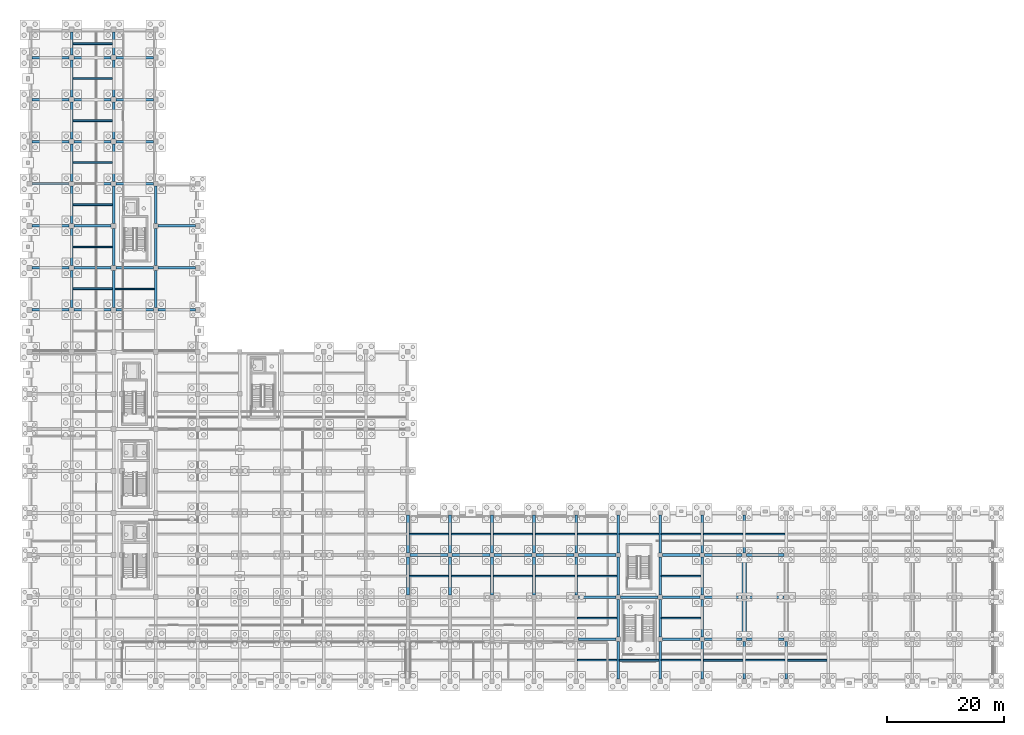
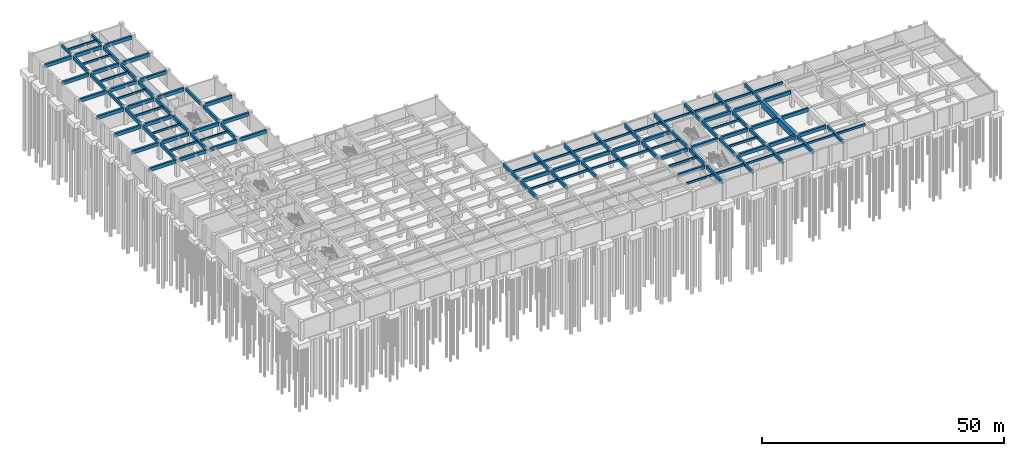
# One storey, part 13 of 28: 114 beams.
"""IFC4 building model written with IfcOpenShell, lengths in metres."""

from ifc_helpers import new_model, si_unit, direction, frame, origin, origin_2d, place, context, subcontext, project, spatial, rectangle, extrude, material, material_profile, profile_set, type_object, element, save


model = new_model("IFC4")

# Units and contexts
model_context = context("Model", 3, precision=1e-05, world=origin(), true_north=direction((0.0, 1.0)))
body_context = subcontext(model_context, "Body", "Model", "MODEL_VIEW")
ifc_project = project(units=[si_unit("LENGTHUNIT", "METRE"), si_unit("AREAUNIT", "SQUARE_METRE"), si_unit("VOLUMEUNIT", "CUBIC_METRE"), si_unit("PLANEANGLEUNIT", "RADIAN"), si_unit("MASSUNIT", "GRAM", prefix="KILO")], contexts=[model_context])

# Site, building, storey
site_placement = place(None, origin())
site = spatial("IfcSite", under=ifc_project, at=site_placement, CompositionType="ELEMENT")
building_placement = place(site_placement, origin())
building = spatial("IfcBuilding", under=site, at=building_placement, Name="Alvorim Cloister Faculty of Sciences", CompositionType="ELEMENT")
storey_placement = place(building_placement, frame((0.0, 0.0, -4.5)))
storey = spatial("IfcBuildingStorey", under=building, at=storey_placement, Name="B01", CompositionType="ELEMENT", Elevation=-4.5)

# Beams
ifc_material_1 = material(Name="Concrete C40", Category="concrete")
ifc_material_profile_1 = material_profile(ifc_material_1, rectangle(XDim=0.260009765625, YDim=0.5, at=origin_2d()), Name="RC40-JST-260x500")
ifc_profile_set_1 = profile_set([ifc_material_profile_1], Name="Concrete C40")
beam_type_1 = type_object("IfcBeamType", Name="BM-JST-RC-260x500", PredefinedType="JOIST", material=ifc_profile_set_1)
for number, where, z_axis, x_axis, name in (
    (1, (7.425048828125, 74.39990234375, 3.989990234375), (1.0, 0.0, 0.0), (0.0, 1.0, 0.0), "B01 Secondary Floor Joist BM-0500"),
    (2, (7.425048828125, 88.800048828125, 3.989990234375), (1.0, 0.0, 0.0), (0.0, 1.0, 0.0), "B01 Secondary Floor Joist BM-0502"),
    (3, (7.425048828125, 103.199951171875, 3.989990234375), (1.0, 0.0, 0.0), (0.0, 1.0, 0.0), "B01 Secondary Floor Joist BM-0504"),
    (4, (14.625, 67.199951171875, 3.989990234375), (1.0, 0.0, 0.0), (0.0, 1.0, 0.0), "B01 Secondary Floor Joist BM-0509"),
    (5, (65.02490234375, 18.0, 3.989990234375), (1.0, 0.0, 0.0), (0.0, 1.0, 0.0), "B01 Secondary Floor Joist BM-0555"),
    (6, (72.22509765625, 25.199951171875, 3.989990234375), (1.0, 0.0, 0.0), (0.0, 1.0, 0.0), "B01 Secondary Floor Joist BM-0560"),
    (7, (79.425048828125, 18.0, 3.989990234375), (1.0, 0.0, 0.0), (0.0, 1.0, 0.0), "B01 Secondary Floor Joist BM-0563"),
    (8, (86.625, 25.199951171875, 3.989990234375), (1.0, 0.0, 0.0), (0.0, 1.0, 0.0), "B01 Secondary Floor Joist BM-0568"),
    (9, (93.824951171875, 3.60009765625, 3.989990234375), (1.0, 0.0, 0.0), (0.0, 1.0, 0.0), "B01 Secondary Floor Joist BM-0569"),
    (10, (93.824951171875, 18.0, 3.989990234375), (1.0, 0.0, 0.0), (0.0, 1.0, 0.0), "B01 Secondary Floor Joist BM-0571"),
    (11, (101.02490234375, 25.199951171875, 3.989990234375), (1.0, 0.0, 0.0), (0.0, 1.0, 0.0), "B01 Secondary Floor Joist BM-0574"),
    (12, (108.22509765625, 3.60009765625, 3.989990234375), (1.0, 0.0, 0.0), (0.0, 1.0, 0.0), "B01 Secondary Floor Joist BM-0575"),
    (13, (108.22509765625, 18.0, 3.989990234375), (1.0, 0.0, 0.0), (0.0, 1.0, 0.0), "B01 Secondary Floor Joist BM-0577"),
    (14, (115.425048828125, 25.199951171875, 3.989990234375), (1.0, 0.0, 0.0), (0.0, 1.0, 0.0), "B01 Secondary Floor Joist BM-0580"),
    (15, (122.625, 3.60009765625, 3.989990234375), (1.0, 0.0, 0.0), (0.0, 1.0, 0.0), "B01 Secondary Floor Joist BM-0581"),
):
    element("IfcBeam", number, at=place(storey_placement, frame(where, z_axis=z_axis, x_axis=x_axis)), inside=storey, type_object=beam_type_1, Name=name, PredefinedType="JOIST", context=body_context, shape_type="SweptSolid", body=[
        extrude(rectangle(XDim=0.260009765625, YDim=0.5, at=origin_2d()), origin(), (0.0, 0.0, 1.0), 6.75),
    ])
ifc_material_profile_2 = material_profile(ifc_material_1, rectangle(XDim=0.300048828125, YDim=0.550048828125, at=origin_2d()), Name="RC40-JST-300x550")
ifc_profile_set_2 = profile_set([ifc_material_profile_2], Name="Concrete C40")
beam_type_2 = type_object("IfcBeamType", Name="BM-JST-RC-300x550", PredefinedType="JOIST", material=ifc_profile_set_2)
for number, where, z_axis, x_axis, name in (
    (16, (7.425048828125, 67.199951171875, 3.965087890625), (1.0, 0.0, 0.0), (0.0, 1.0, 0.0), "B01 Secondary Floor Joist BM-0499"),
    (17, (7.425048828125, 81.60009765625, 3.965087890625), (1.0, 0.0, 0.0), (0.0, 1.0, 0.0), "B01 Secondary Floor Joist BM-0501"),
    (18, (7.425048828125, 96.0, 3.965087890625), (1.0, 0.0, 0.0), (0.0, 1.0, 0.0), "B01 Secondary Floor Joist BM-0503"),
):
    element("IfcBeam", number, at=place(storey_placement, frame(where, z_axis=z_axis, x_axis=x_axis)), inside=storey, type_object=beam_type_2, Name=name, PredefinedType="JOIST", context=body_context, shape_type="SweptSolid", body=[
        extrude(rectangle(XDim=0.300048828125, YDim=0.550048828125, at=origin_2d()), origin(), (0.0, 0.0, 1.0), 6.75),
    ])
beam_1_placement = place(storey_placement, frame((7.389892578125, 109.199951171875, 3.965087890625), z_axis=(1.0, 0.0, 0.0), x_axis=(0.0, 1.0, 0.0)))
element("IfcBeam", 19, at=beam_1_placement, inside=storey, type_object=beam_type_2, Name="B01 Secondary Floor Joist BM-0505", PredefinedType="JOIST", context=body_context, shape_type="SweptSolid", body=[
    extrude(rectangle(XDim=0.300048828125, YDim=0.550048828125, at=origin_2d()), origin(), (0.0, 0.0, 1.0), 6.820068359375),
])
for number, where, z_axis, x_axis, name in (
    (20, (65.02490234375, 25.199951171875, 3.965087890625), (1.0, 0.0, 0.0), (0.0, 1.0, 0.0), "B01 Secondary Floor Joist BM-0556"),
    (21, (72.22509765625, 18.0, 3.965087890625), (1.0, 0.0, 0.0), (0.0, 1.0, 0.0), "B01 Secondary Floor Joist BM-0559"),
    (22, (79.425048828125, 25.199951171875, 3.965087890625), (1.0, 0.0, 0.0), (0.0, 1.0, 0.0), "B01 Secondary Floor Joist BM-0564"),
    (23, (86.625, 18.0, 3.965087890625), (1.0, 0.0, 0.0), (0.0, 1.0, 0.0), "B01 Secondary Floor Joist BM-0567"),
    (24, (93.824951171875, 10.800048828125, 3.965087890625), (1.0, 0.0, 0.0), (0.0, 1.0, 0.0), "B01 Secondary Floor Joist BM-0570"),
    (25, (93.824951171875, 25.199951171875, 3.965087890625), (1.0, 0.0, 0.0), (0.0, 1.0, 0.0), "B01 Secondary Floor Joist BM-0572"),
    (26, (101.02490234375, 3.60009765625, 3.965087890625), (1.0, 0.0, 0.0), (0.0, 1.0, 0.0), "B01 Secondary Floor Joist BM-0573"),
    (27, (108.22509765625, 10.800048828125, 3.965087890625), (1.0, 0.0, 0.0), (0.0, 1.0, 0.0), "B01 Secondary Floor Joist BM-0576"),
    (28, (108.22509765625, 25.199951171875, 3.965087890625), (1.0, 0.0, 0.0), (0.0, 1.0, 0.0), "B01 Secondary Floor Joist BM-0578"),
    (29, (115.425048828125, 3.60009765625, 3.965087890625), (1.0, 0.0, 0.0), (0.0, 1.0, 0.0), "B01 Secondary Floor Joist BM-0579"),
    (30, (122.625, 25.199951171875, 3.965087890625), (1.0, 0.0, 0.0), (0.0, 1.0, 0.0), "B01 Secondary Floor Joist BM-0582"),
    (31, (129.824951171875, 3.60009765625, 3.965087890625), (1.0, 0.0, 0.0), (0.0, 1.0, 0.0), "B01 Secondary Floor Joist BM-0583"),
):
    element("IfcBeam", number, at=place(storey_placement, frame(where, z_axis=z_axis, x_axis=x_axis)), inside=storey, type_object=beam_type_2, Name=name, PredefinedType="JOIST", context=body_context, shape_type="SweptSolid", body=[
        extrude(rectangle(XDim=0.300048828125, YDim=0.550048828125, at=origin_2d()), origin(), (0.0, 0.0, 1.0), 6.75),
    ])
ifc_material_profile_3 = material_profile(ifc_material_1, rectangle(XDim=0.3798828125, YDim=0.64990234375, at=origin_2d()), Name="RC40-BM-380x650")
ifc_profile_set_3 = profile_set([ifc_material_profile_3], Name="Concrete C40")
beam_type_3 = type_object("IfcBeamType", Name="BM-RC-380x650", PredefinedType="BEAM", material=ifc_profile_set_3)
for number, where, z_axis, x_axis, name in (
    (32, (7.199951171875, 107.22509765625, 3.9150390625), (0.0, 1.0, 0.0), (-1.0, 0.0, 0.0), "B01 Primary Girder BM-0375"),
    (33, (14.39990234375, 107.22509765625, 3.9150390625), (0.0, 1.0, 0.0), (-1.0, 0.0, 0.0), "B01 Primary Girder BM-0391"),
):
    element("IfcBeam", number, at=place(storey_placement, frame(where, z_axis=z_axis, x_axis=x_axis)), inside=storey, type_object=beam_type_3, Name=name, PredefinedType="BEAM", context=body_context, shape_type="SweptSolid", body=[
        extrude(rectangle(XDim=0.3798828125, YDim=0.64990234375, at=origin_2d()), origin(), (0.0, 0.0, 1.0), 3.949951171875),
    ])
ifc_material_profile_4 = material_profile(ifc_material_1, rectangle(XDim=0.449951171875, YDim=0.85009765625, at=origin_2d()), Name="RC40-BM-450x850")
ifc_profile_set_4 = profile_set([ifc_material_profile_4], Name="Concrete C40")
beam_type_4 = type_object("IfcBeamType", Name="BM-RC-450x850", PredefinedType="BEAM", material=ifc_profile_set_4)
for number, where, z_axis, x_axis, name in (
    (34, (93.97509765625, 7.199951171875, 3.81494140625), (1.0, 0.0, 0.0), (0.0, 1.0, 0.0), "B01 Primary Beam BM-0247"),
    (35, (108.375, 7.199951171875, 3.81494140625), (1.0, 0.0, 0.0), (0.0, 1.0, 0.0), "B01 Primary Beam BM-0248"),
    (36, (115.574951171875, 7.199951171875, 3.81494140625), (1.0, 0.0, 0.0), (0.0, 1.0, 0.0), "B01 Primary Beam BM-0249"),
):
    element("IfcBeam", number, at=place(storey_placement, frame(where, z_axis=z_axis, x_axis=x_axis)), inside=storey, type_object=beam_type_4, Name=name, PredefinedType="BEAM", context=body_context, shape_type="SweptSolid", body=[
        extrude(rectangle(XDim=0.449951171875, YDim=0.85009765625, at=origin_2d()), origin(), (0.0, 0.0, 1.0), 6.449951171875),
    ])
beam_2_placement = place(storey_placement, frame((122.77490234375, 7.199951171875, 3.81494140625), z_axis=(1.0, 0.0, 0.0), x_axis=(0.0, 1.0, 0.0)))
element("IfcBeam", 37, at=beam_2_placement, inside=storey, type_object=beam_type_4, Name="B01 Primary Beam BM-0250", PredefinedType="BEAM", context=body_context, shape_type="SweptSolid", body=[
    extrude(rectangle(XDim=0.449951171875, YDim=0.85009765625, at=origin_2d()), origin(), (0.0, 0.0, 1.0), 6.4501953125),
])
for number, where, z_axis, x_axis, name in (
    (38, (93.97509765625, 14.39990234375, 3.81494140625), (1.0, 0.0, 0.0), (0.0, 1.0, 0.0), "B01 Primary Beam BM-0269"),
    (39, (101.175048828125, 14.39990234375, 3.81494140625), (1.0, 0.0, 0.0), (0.0, 1.0, 0.0), "B01 Primary Beam BM-0270"),
    (40, (108.375, 14.39990234375, 3.81494140625), (1.0, 0.0, 0.0), (0.0, 1.0, 0.0), "B01 Primary Beam BM-0271"),
    (41, (115.574951171875, 14.39990234375, 3.81494140625), (1.0, 0.0, 0.0), (0.0, 1.0, 0.0), "B01 Primary Beam BM-0272"),
):
    element("IfcBeam", number, at=place(storey_placement, frame(where, z_axis=z_axis, x_axis=x_axis)), inside=storey, type_object=beam_type_4, Name=name, PredefinedType="BEAM", context=body_context, shape_type="SweptSolid", body=[
        extrude(rectangle(XDim=0.449951171875, YDim=0.85009765625, at=origin_2d()), origin(), (0.0, 0.0, 1.0), 6.449951171875),
    ])
beam_3_placement = place(storey_placement, frame((122.77490234375, 14.39990234375, 3.81494140625), z_axis=(1.0, 0.0, 0.0), x_axis=(0.0, 1.0, 0.0)))
element("IfcBeam", 42, at=beam_3_placement, inside=storey, type_object=beam_type_4, Name="B01 Primary Beam BM-0273", PredefinedType="BEAM", context=body_context, shape_type="SweptSolid", body=[
    extrude(rectangle(XDim=0.449951171875, YDim=0.85009765625, at=origin_2d()), origin(), (0.0, 0.0, 1.0), 6.4501953125),
])
for number, where, z_axis, x_axis, name in (
    (43, (65.175048828125, 21.60009765625, 3.81494140625), (1.0, 0.0, 0.0), (0.0, 1.0, 0.0), "B01 Primary Beam BM-0287"),
    (44, (72.375, 21.60009765625, 3.81494140625), (1.0, 0.0, 0.0), (0.0, 1.0, 0.0), "B01 Primary Beam BM-0288"),
    (45, (79.574951171875, 21.60009765625, 3.81494140625), (1.0, 0.0, 0.0), (0.0, 1.0, 0.0), "B01 Primary Beam BM-0289"),
):
    element("IfcBeam", number, at=place(storey_placement, frame(where, z_axis=z_axis, x_axis=x_axis)), inside=storey, type_object=beam_type_4, Name=name, PredefinedType="BEAM", context=body_context, shape_type="SweptSolid", body=[
        extrude(rectangle(XDim=0.449951171875, YDim=0.85009765625, at=origin_2d()), origin(), (0.0, 0.0, 1.0), 6.449951171875),
    ])
beam_4_placement = place(storey_placement, frame((86.77490234375, 21.60009765625, 3.81494140625), z_axis=(1.0, 0.0, 0.0), x_axis=(0.0, 1.0, 0.0)))
element("IfcBeam", 46, at=beam_4_placement, inside=storey, type_object=beam_type_4, Name="B01 Primary Beam BM-0290", PredefinedType="BEAM", context=body_context, shape_type="SweptSolid", body=[
    extrude(rectangle(XDim=0.449951171875, YDim=0.85009765625, at=origin_2d()), origin(), (0.0, 0.0, 1.0), 6.4501953125),
])
for number, where, z_axis, x_axis, name in (
    (47, (93.97509765625, 21.60009765625, 3.81494140625), (1.0, 0.0, 0.0), (0.0, 1.0, 0.0), "B01 Primary Beam BM-0291"),
    (48, (108.375, 21.60009765625, 3.81494140625), (1.0, 0.0, 0.0), (0.0, 1.0, 0.0), "B01 Primary Beam BM-0292"),
    (49, (115.574951171875, 21.60009765625, 3.81494140625), (1.0, 0.0, 0.0), (0.0, 1.0, 0.0), "B01 Primary Beam BM-0293"),
):
    element("IfcBeam", number, at=place(storey_placement, frame(where, z_axis=z_axis, x_axis=x_axis)), inside=storey, type_object=beam_type_4, Name=name, PredefinedType="BEAM", context=body_context, shape_type="SweptSolid", body=[
        extrude(rectangle(XDim=0.449951171875, YDim=0.85009765625, at=origin_2d()), origin(), (0.0, 0.0, 1.0), 6.449951171875),
    ])
beam_5_placement = place(storey_placement, frame((122.77490234375, 21.60009765625, 3.81494140625), z_axis=(1.0, 0.0, 0.0), x_axis=(0.0, 1.0, 0.0)))
element("IfcBeam", 50, at=beam_5_placement, inside=storey, type_object=beam_type_4, Name="B01 Primary Beam BM-0294", PredefinedType="BEAM", context=body_context, shape_type="SweptSolid", body=[
    extrude(rectangle(XDim=0.449951171875, YDim=0.85009765625, at=origin_2d()), origin(), (0.0, 0.0, 1.0), 6.4501953125),
])
beam_6_placement = place(storey_placement, frame((0.425048828125, 63.60009765625, 3.81494140625), z_axis=(1.0, 0.0, 0.0), x_axis=(0.0, 1.0, 0.0)))
element("IfcBeam", 51, at=beam_6_placement, inside=storey, type_object=beam_type_4, Name="B01 Primary Beam BM-0337", PredefinedType="BEAM", context=body_context, shape_type="SweptSolid", body=[
    extrude(rectangle(XDim=0.449951171875, YDim=0.85009765625, at=origin_2d()), origin(), (0.0, 0.0, 1.0), 6.349853515625),
])
for number, where, z_axis, x_axis, name in (
    (52, (7.625, 63.60009765625, 3.81494140625), (1.0, 0.0, 0.0), (0.0, 1.0, 0.0), "B01 Primary Beam BM-0338"),
    (53, (14.824951171875, 63.60009765625, 3.81494140625), (1.0, 0.0, 0.0), (0.0, 1.0, 0.0), "B01 Primary Beam BM-0339"),
    (54, (22.02490234375, 63.60009765625, 3.81494140625), (1.0, 0.0, 0.0), (0.0, 1.0, 0.0), "B01 Primary Beam BM-0340"),
):
    element("IfcBeam", number, at=place(storey_placement, frame(where, z_axis=z_axis, x_axis=x_axis)), inside=storey, type_object=beam_type_4, Name=name, PredefinedType="BEAM", context=body_context, shape_type="SweptSolid", body=[
        extrude(rectangle(XDim=0.449951171875, YDim=0.85009765625, at=origin_2d()), origin(), (0.0, 0.0, 1.0), 6.35009765625),
    ])
beam_7_placement = place(storey_placement, frame((0.425048828125, 70.800048828125, 3.81494140625), z_axis=(1.0, 0.0, 0.0), x_axis=(0.0, 1.0, 0.0)))
element("IfcBeam", 55, at=beam_7_placement, inside=storey, type_object=beam_type_4, Name="B01 Primary Beam BM-0341", PredefinedType="BEAM", context=body_context, shape_type="SweptSolid", body=[
    extrude(rectangle(XDim=0.449951171875, YDim=0.85009765625, at=origin_2d()), origin(), (0.0, 0.0, 1.0), 6.349853515625),
])
for number, where, z_axis, x_axis, name in (
    (56, (7.625, 70.800048828125, 3.81494140625), (1.0, 0.0, 0.0), (0.0, 1.0, 0.0), "B01 Primary Beam BM-0342"),
    (57, (14.824951171875, 70.800048828125, 3.81494140625), (1.0, 0.0, 0.0), (0.0, 1.0, 0.0), "B01 Primary Beam BM-0343"),
    (58, (22.02490234375, 70.800048828125, 3.81494140625), (1.0, 0.0, 0.0), (0.0, 1.0, 0.0), "B01 Primary Beam BM-0344"),
):
    element("IfcBeam", number, at=place(storey_placement, frame(where, z_axis=z_axis, x_axis=x_axis)), inside=storey, type_object=beam_type_4, Name=name, PredefinedType="BEAM", context=body_context, shape_type="SweptSolid", body=[
        extrude(rectangle(XDim=0.449951171875, YDim=0.85009765625, at=origin_2d()), origin(), (0.0, 0.0, 1.0), 6.35009765625),
    ])
beam_8_placement = place(storey_placement, frame((0.425048828125, 78.0, 3.81494140625), z_axis=(1.0, 0.0, 0.0), x_axis=(0.0, 1.0, 0.0)))
element("IfcBeam", 59, at=beam_8_placement, inside=storey, type_object=beam_type_4, Name="B01 Primary Beam BM-0345", PredefinedType="BEAM", context=body_context, shape_type="SweptSolid", body=[
    extrude(rectangle(XDim=0.449951171875, YDim=0.85009765625, at=origin_2d()), origin(), (0.0, 0.0, 1.0), 6.349853515625),
])
for number, where, z_axis, x_axis, name in (
    (60, (7.625, 78.0, 3.81494140625), (1.0, 0.0, 0.0), (0.0, 1.0, 0.0), "B01 Primary Beam BM-0346"),
    (61, (22.02490234375, 78.0, 3.81494140625), (1.0, 0.0, 0.0), (0.0, 1.0, 0.0), "B01 Primary Beam BM-0347"),
):
    element("IfcBeam", number, at=place(storey_placement, frame(where, z_axis=z_axis, x_axis=x_axis)), inside=storey, type_object=beam_type_4, Name=name, PredefinedType="BEAM", context=body_context, shape_type="SweptSolid", body=[
        extrude(rectangle(XDim=0.449951171875, YDim=0.85009765625, at=origin_2d()), origin(), (0.0, 0.0, 1.0), 6.35009765625),
    ])
beam_9_placement = place(storey_placement, frame((0.425048828125, 85.199951171875, 3.81494140625), z_axis=(1.0, 0.0, 0.0), x_axis=(0.0, 1.0, 0.0)))
element("IfcBeam", 62, at=beam_9_placement, inside=storey, type_object=beam_type_4, Name="B01 Primary Beam BM-0348", PredefinedType="BEAM", context=body_context, shape_type="SweptSolid", body=[
    extrude(rectangle(XDim=0.449951171875, YDim=0.85009765625, at=origin_2d()), origin(), (0.0, 0.0, 1.0), 6.349853515625),
])
for number, where, z_axis, x_axis, name in (
    (63, (7.625, 85.199951171875, 3.81494140625), (1.0, 0.0, 0.0), (0.0, 1.0, 0.0), "B01 Primary Beam BM-0349"),
    (64, (14.824951171875, 85.199951171875, 3.81494140625), (1.0, 0.0, 0.0), (0.0, 1.0, 0.0), "B01 Primary Beam BM-0350"),
):
    element("IfcBeam", number, at=place(storey_placement, frame(where, z_axis=z_axis, x_axis=x_axis)), inside=storey, type_object=beam_type_4, Name=name, PredefinedType="BEAM", context=body_context, shape_type="SweptSolid", body=[
        extrude(rectangle(XDim=0.449951171875, YDim=0.85009765625, at=origin_2d()), origin(), (0.0, 0.0, 1.0), 6.35009765625),
    ])
beam_10_placement = place(storey_placement, frame((0.425048828125, 92.39990234375, 3.81494140625), z_axis=(1.0, 0.0, 0.0), x_axis=(0.0, 1.0, 0.0)))
element("IfcBeam", 65, at=beam_10_placement, inside=storey, type_object=beam_type_4, Name="B01 Primary Beam BM-0351", PredefinedType="BEAM", context=body_context, shape_type="SweptSolid", body=[
    extrude(rectangle(XDim=0.449951171875, YDim=0.85009765625, at=origin_2d()), origin(), (0.0, 0.0, 1.0), 6.349853515625),
])
for number, where, z_axis, x_axis, name in (
    (66, (7.625, 92.39990234375, 3.81494140625), (1.0, 0.0, 0.0), (0.0, 1.0, 0.0), "B01 Primary Beam BM-0352"),
    (67, (14.824951171875, 92.39990234375, 3.81494140625), (1.0, 0.0, 0.0), (0.0, 1.0, 0.0), "B01 Primary Beam BM-0353"),
):
    element("IfcBeam", number, at=place(storey_placement, frame(where, z_axis=z_axis, x_axis=x_axis)), inside=storey, type_object=beam_type_4, Name=name, PredefinedType="BEAM", context=body_context, shape_type="SweptSolid", body=[
        extrude(rectangle(XDim=0.449951171875, YDim=0.85009765625, at=origin_2d()), origin(), (0.0, 0.0, 1.0), 6.35009765625),
    ])
beam_11_placement = place(storey_placement, frame((0.425048828125, 99.60009765625, 3.81494140625), z_axis=(1.0, 0.0, 0.0), x_axis=(0.0, 1.0, 0.0)))
element("IfcBeam", 68, at=beam_11_placement, inside=storey, type_object=beam_type_4, Name="B01 Primary Beam BM-0354", PredefinedType="BEAM", context=body_context, shape_type="SweptSolid", body=[
    extrude(rectangle(XDim=0.449951171875, YDim=0.85009765625, at=origin_2d()), origin(), (0.0, 0.0, 1.0), 6.349853515625),
])
for number, where, z_axis, x_axis, name in (
    (69, (7.625, 99.60009765625, 3.81494140625), (1.0, 0.0, 0.0), (0.0, 1.0, 0.0), "B01 Primary Beam BM-0355"),
    (70, (14.824951171875, 99.60009765625, 3.81494140625), (1.0, 0.0, 0.0), (0.0, 1.0, 0.0), "B01 Primary Beam BM-0356"),
):
    element("IfcBeam", number, at=place(storey_placement, frame(where, z_axis=z_axis, x_axis=x_axis)), inside=storey, type_object=beam_type_4, Name=name, PredefinedType="BEAM", context=body_context, shape_type="SweptSolid", body=[
        extrude(rectangle(XDim=0.449951171875, YDim=0.85009765625, at=origin_2d()), origin(), (0.0, 0.0, 1.0), 6.35009765625),
    ])
beam_12_placement = place(storey_placement, frame((0.425048828125, 106.800048828125, 3.81494140625), z_axis=(1.0, 0.0, 0.0), x_axis=(0.0, 1.0, 0.0)))
element("IfcBeam", 71, at=beam_12_placement, inside=storey, type_object=beam_type_4, Name="B01 Primary Beam BM-0357", PredefinedType="BEAM", context=body_context, shape_type="SweptSolid", body=[
    extrude(rectangle(XDim=0.449951171875, YDim=0.85009765625, at=origin_2d()), origin(), (0.0, 0.0, 1.0), 6.349853515625),
])
for number, where, z_axis, x_axis, name in (
    (72, (7.625, 106.800048828125, 3.81494140625), (1.0, 0.0, 0.0), (0.0, 1.0, 0.0), "B01 Primary Beam BM-0358"),
    (73, (14.824951171875, 106.800048828125, 3.81494140625), (1.0, 0.0, 0.0), (0.0, 1.0, 0.0), "B01 Primary Beam BM-0359"),
    (74, (7.199951171875, 64.02490234375, 3.81494140625), (0.0, 1.0, 0.0), (-1.0, 0.0, 0.0), "B01 Primary Girder BM-0369"),
):
    element("IfcBeam", number, at=place(storey_placement, frame(where, z_axis=z_axis, x_axis=x_axis)), inside=storey, type_object=beam_type_4, Name=name, PredefinedType="BEAM", context=body_context, shape_type="SweptSolid", body=[
        extrude(rectangle(XDim=0.449951171875, YDim=0.85009765625, at=origin_2d()), origin(), (0.0, 0.0, 1.0), 6.35009765625),
    ])
for number, where, z_axis, x_axis, name in (
    (75, (7.199951171875, 71.22509765625, 3.81494140625), (0.0, 1.0, 0.0), (-1.0, 0.0, 0.0), "B01 Primary Girder BM-0370"),
    (76, (7.199951171875, 78.425048828125, 3.81494140625), (0.0, 1.0, 0.0), (-1.0, 0.0, 0.0), "B01 Primary Girder BM-0371"),
):
    element("IfcBeam", number, at=place(storey_placement, frame(where, z_axis=z_axis, x_axis=x_axis)), inside=storey, type_object=beam_type_4, Name=name, PredefinedType="BEAM", context=body_context, shape_type="SweptSolid", body=[
        extrude(rectangle(XDim=0.449951171875, YDim=0.85009765625, at=origin_2d()), origin(), (0.0, 0.0, 1.0), 6.349853515625),
    ])
for number, where, z_axis, x_axis, name in (
    (77, (7.199951171875, 85.625, 3.81494140625), (0.0, 1.0, 0.0), (-1.0, 0.0, 0.0), "B01 Primary Girder BM-0372"),
    (78, (7.199951171875, 92.824951171875, 3.81494140625), (0.0, 1.0, 0.0), (-1.0, 0.0, 0.0), "B01 Primary Girder BM-0373"),
    (79, (7.199951171875, 100.02490234375, 3.81494140625), (0.0, 1.0, 0.0), (-1.0, 0.0, 0.0), "B01 Primary Girder BM-0374"),
    (80, (14.39990234375, 64.02490234375, 3.81494140625), (0.0, 1.0, 0.0), (-1.0, 0.0, 0.0), "B01 Primary Girder BM-0385"),
):
    element("IfcBeam", number, at=place(storey_placement, frame(where, z_axis=z_axis, x_axis=x_axis)), inside=storey, type_object=beam_type_4, Name=name, PredefinedType="BEAM", context=body_context, shape_type="SweptSolid", body=[
        extrude(rectangle(XDim=0.449951171875, YDim=0.85009765625, at=origin_2d()), origin(), (0.0, 0.0, 1.0), 6.35009765625),
    ])
for number, where, z_axis, x_axis, name in (
    (81, (14.39990234375, 71.22509765625, 3.81494140625), (0.0, 1.0, 0.0), (-1.0, 0.0, 0.0), "B01 Primary Girder BM-0386"),
    (82, (14.39990234375, 78.425048828125, 3.81494140625), (0.0, 1.0, 0.0), (-1.0, 0.0, 0.0), "B01 Primary Girder BM-0387"),
):
    element("IfcBeam", number, at=place(storey_placement, frame(where, z_axis=z_axis, x_axis=x_axis)), inside=storey, type_object=beam_type_4, Name=name, PredefinedType="BEAM", context=body_context, shape_type="SweptSolid", body=[
        extrude(rectangle(XDim=0.449951171875, YDim=0.85009765625, at=origin_2d()), origin(), (0.0, 0.0, 1.0), 6.349853515625),
    ])
for number, where, z_axis, x_axis, name in (
    (83, (14.39990234375, 85.625, 3.81494140625), (0.0, 1.0, 0.0), (-1.0, 0.0, 0.0), "B01 Primary Girder BM-0388"),
    (84, (14.39990234375, 92.824951171875, 3.81494140625), (0.0, 1.0, 0.0), (-1.0, 0.0, 0.0), "B01 Primary Girder BM-0389"),
    (85, (14.39990234375, 100.02490234375, 3.81494140625), (0.0, 1.0, 0.0), (-1.0, 0.0, 0.0), "B01 Primary Girder BM-0390"),
    (86, (21.60009765625, 64.02490234375, 3.81494140625), (0.0, 1.0, 0.0), (-1.0, 0.0, 0.0), "B01 Primary Girder BM-0401"),
):
    element("IfcBeam", number, at=place(storey_placement, frame(where, z_axis=z_axis, x_axis=x_axis)), inside=storey, type_object=beam_type_4, Name=name, PredefinedType="BEAM", context=body_context, shape_type="SweptSolid", body=[
        extrude(rectangle(XDim=0.449951171875, YDim=0.85009765625, at=origin_2d()), origin(), (0.0, 0.0, 1.0), 6.35009765625),
    ])
for number, where, z_axis, x_axis, name in (
    (87, (21.60009765625, 71.22509765625, 3.81494140625), (0.0, 1.0, 0.0), (-1.0, 0.0, 0.0), "B01 Primary Girder BM-0402"),
    (88, (21.60009765625, 78.425048828125, 3.81494140625), (0.0, 1.0, 0.0), (-1.0, 0.0, 0.0), "B01 Primary Girder BM-0403"),
):
    element("IfcBeam", number, at=place(storey_placement, frame(where, z_axis=z_axis, x_axis=x_axis)), inside=storey, type_object=beam_type_4, Name=name, PredefinedType="BEAM", context=body_context, shape_type="SweptSolid", body=[
        extrude(rectangle(XDim=0.449951171875, YDim=0.85009765625, at=origin_2d()), origin(), (0.0, 0.0, 1.0), 6.349853515625),
    ])
beam_13_placement = place(storey_placement, frame((64.800048828125, 14.77490234375, 3.81494140625), z_axis=(0.0, 1.0, 0.0), x_axis=(-1.0, 0.0, 0.0)))
element("IfcBeam", 89, at=beam_13_placement, inside=storey, type_object=beam_type_4, Name="B01 Primary Girder BM-0446", PredefinedType="BEAM", context=body_context, shape_type="SweptSolid", body=[
    extrude(rectangle(XDim=0.449951171875, YDim=0.85009765625, at=origin_2d()), origin(), (0.0, 0.0, 1.0), 6.4501953125),
])
beam_14_placement = place(storey_placement, frame((64.800048828125, 21.97509765625, 3.81494140625), z_axis=(0.0, 1.0, 0.0), x_axis=(-1.0, 0.0, 0.0)))
element("IfcBeam", 90, at=beam_14_placement, inside=storey, type_object=beam_type_4, Name="B01 Primary Girder BM-0447", PredefinedType="BEAM", context=body_context, shape_type="SweptSolid", body=[
    extrude(rectangle(XDim=0.449951171875, YDim=0.85009765625, at=origin_2d()), origin(), (0.0, 0.0, 1.0), 6.449951171875),
])
beam_15_placement = place(storey_placement, frame((72.0, 14.77490234375, 3.81494140625), z_axis=(0.0, 1.0, 0.0), x_axis=(-1.0, 0.0, 0.0)))
element("IfcBeam", 91, at=beam_15_placement, inside=storey, type_object=beam_type_4, Name="B01 Primary Girder BM-0450", PredefinedType="BEAM", context=body_context, shape_type="SweptSolid", body=[
    extrude(rectangle(XDim=0.449951171875, YDim=0.85009765625, at=origin_2d()), origin(), (0.0, 0.0, 1.0), 6.4501953125),
])
beam_16_placement = place(storey_placement, frame((72.0, 21.97509765625, 3.81494140625), z_axis=(0.0, 1.0, 0.0), x_axis=(-1.0, 0.0, 0.0)))
element("IfcBeam", 92, at=beam_16_placement, inside=storey, type_object=beam_type_4, Name="B01 Primary Girder BM-0451", PredefinedType="BEAM", context=body_context, shape_type="SweptSolid", body=[
    extrude(rectangle(XDim=0.449951171875, YDim=0.85009765625, at=origin_2d()), origin(), (0.0, 0.0, 1.0), 6.449951171875),
])
beam_17_placement = place(storey_placement, frame((79.199951171875, 14.77490234375, 3.81494140625), z_axis=(0.0, 1.0, 0.0), x_axis=(-1.0, 0.0, 0.0)))
element("IfcBeam", 93, at=beam_17_placement, inside=storey, type_object=beam_type_4, Name="B01 Primary Girder BM-0454", PredefinedType="BEAM", context=body_context, shape_type="SweptSolid", body=[
    extrude(rectangle(XDim=0.449951171875, YDim=0.85009765625, at=origin_2d()), origin(), (0.0, 0.0, 1.0), 6.4501953125),
])
beam_18_placement = place(storey_placement, frame((79.199951171875, 21.97509765625, 3.81494140625), z_axis=(0.0, 1.0, 0.0), x_axis=(-1.0, 0.0, 0.0)))
element("IfcBeam", 94, at=beam_18_placement, inside=storey, type_object=beam_type_4, Name="B01 Primary Girder BM-0455", PredefinedType="BEAM", context=body_context, shape_type="SweptSolid", body=[
    extrude(rectangle(XDim=0.449951171875, YDim=0.85009765625, at=origin_2d()), origin(), (0.0, 0.0, 1.0), 6.449951171875),
])
beam_19_placement = place(storey_placement, frame((86.39990234375, 14.77490234375, 3.81494140625), z_axis=(0.0, 1.0, 0.0), x_axis=(-1.0, 0.0, 0.0)))
element("IfcBeam", 95, at=beam_19_placement, inside=storey, type_object=beam_type_4, Name="B01 Primary Girder BM-0458", PredefinedType="BEAM", context=body_context, shape_type="SweptSolid", body=[
    extrude(rectangle(XDim=0.449951171875, YDim=0.85009765625, at=origin_2d()), origin(), (0.0, 0.0, 1.0), 6.4501953125),
])
beam_20_placement = place(storey_placement, frame((86.39990234375, 21.97509765625, 3.81494140625), z_axis=(0.0, 1.0, 0.0), x_axis=(-1.0, 0.0, 0.0)))
element("IfcBeam", 96, at=beam_20_placement, inside=storey, type_object=beam_type_4, Name="B01 Primary Girder BM-0459", PredefinedType="BEAM", context=body_context, shape_type="SweptSolid", body=[
    extrude(rectangle(XDim=0.449951171875, YDim=0.85009765625, at=origin_2d()), origin(), (0.0, 0.0, 1.0), 6.449951171875),
])
beam_21_placement = place(storey_placement, frame((93.60009765625, 14.77490234375, 3.81494140625), z_axis=(0.0, 1.0, 0.0), x_axis=(-1.0, 0.0, 0.0)))
element("IfcBeam", 97, at=beam_21_placement, inside=storey, type_object=beam_type_4, Name="B01 Primary Girder BM-0462", PredefinedType="BEAM", context=body_context, shape_type="SweptSolid", body=[
    extrude(rectangle(XDim=0.449951171875, YDim=0.85009765625, at=origin_2d()), origin(), (0.0, 0.0, 1.0), 6.4501953125),
])
for number, where, z_axis, x_axis, name in (
    (98, (93.60009765625, 21.97509765625, 3.81494140625), (0.0, 1.0, 0.0), (-1.0, 0.0, 0.0), "B01 Primary Girder BM-0463"),
    (99, (100.800048828125, 0.375, 3.81494140625), (0.0, 1.0, 0.0), (-1.0, 0.0, 0.0), "B01 Primary Girder BM-0464"),
    (100, (100.800048828125, 7.574951171875, 3.81494140625), (0.0, 1.0, 0.0), (-1.0, 0.0, 0.0), "B01 Primary Girder BM-0465"),
):
    element("IfcBeam", number, at=place(storey_placement, frame(where, z_axis=z_axis, x_axis=x_axis)), inside=storey, type_object=beam_type_4, Name=name, PredefinedType="BEAM", context=body_context, shape_type="SweptSolid", body=[
        extrude(rectangle(XDim=0.449951171875, YDim=0.85009765625, at=origin_2d()), origin(), (0.0, 0.0, 1.0), 6.449951171875),
    ])
beam_22_placement = place(storey_placement, frame((100.800048828125, 14.77490234375, 3.81494140625), z_axis=(0.0, 1.0, 0.0), x_axis=(-1.0, 0.0, 0.0)))
element("IfcBeam", 101, at=beam_22_placement, inside=storey, type_object=beam_type_4, Name="B01 Primary Girder BM-0466", PredefinedType="BEAM", context=body_context, shape_type="SweptSolid", body=[
    extrude(rectangle(XDim=0.449951171875, YDim=0.85009765625, at=origin_2d()), origin(), (0.0, 0.0, 1.0), 6.4501953125),
])
for number, where, z_axis, x_axis, name in (
    (102, (100.800048828125, 21.97509765625, 3.81494140625), (0.0, 1.0, 0.0), (-1.0, 0.0, 0.0), "B01 Primary Girder BM-0467"),
    (103, (108.0, 0.375, 3.81494140625), (0.0, 1.0, 0.0), (-1.0, 0.0, 0.0), "B01 Primary Girder BM-0468"),
    (104, (108.0, 7.574951171875, 3.81494140625), (0.0, 1.0, 0.0), (-1.0, 0.0, 0.0), "B01 Primary Girder BM-0469"),
):
    element("IfcBeam", number, at=place(storey_placement, frame(where, z_axis=z_axis, x_axis=x_axis)), inside=storey, type_object=beam_type_4, Name=name, PredefinedType="BEAM", context=body_context, shape_type="SweptSolid", body=[
        extrude(rectangle(XDim=0.449951171875, YDim=0.85009765625, at=origin_2d()), origin(), (0.0, 0.0, 1.0), 6.449951171875),
    ])
beam_23_placement = place(storey_placement, frame((108.0, 14.77490234375, 3.81494140625), z_axis=(0.0, 1.0, 0.0), x_axis=(-1.0, 0.0, 0.0)))
element("IfcBeam", 105, at=beam_23_placement, inside=storey, type_object=beam_type_4, Name="B01 Primary Girder BM-0470", PredefinedType="BEAM", context=body_context, shape_type="SweptSolid", body=[
    extrude(rectangle(XDim=0.449951171875, YDim=0.85009765625, at=origin_2d()), origin(), (0.0, 0.0, 1.0), 6.4501953125),
])
for number, where, z_axis, x_axis, name in (
    (106, (108.0, 21.97509765625, 3.81494140625), (0.0, 1.0, 0.0), (-1.0, 0.0, 0.0), "B01 Primary Girder BM-0471"),
    (107, (115.199951171875, 0.375, 3.81494140625), (0.0, 1.0, 0.0), (-1.0, 0.0, 0.0), "B01 Primary Girder BM-0472"),
    (108, (115.199951171875, 7.574951171875, 3.81494140625), (0.0, 1.0, 0.0), (-1.0, 0.0, 0.0), "B01 Primary Girder BM-0473"),
):
    element("IfcBeam", number, at=place(storey_placement, frame(where, z_axis=z_axis, x_axis=x_axis)), inside=storey, type_object=beam_type_4, Name=name, PredefinedType="BEAM", context=body_context, shape_type="SweptSolid", body=[
        extrude(rectangle(XDim=0.449951171875, YDim=0.85009765625, at=origin_2d()), origin(), (0.0, 0.0, 1.0), 6.449951171875),
    ])
beam_24_placement = place(storey_placement, frame((115.199951171875, 14.77490234375, 3.81494140625), z_axis=(0.0, 1.0, 0.0), x_axis=(-1.0, 0.0, 0.0)))
element("IfcBeam", 109, at=beam_24_placement, inside=storey, type_object=beam_type_4, Name="B01 Primary Girder BM-0474", PredefinedType="BEAM", context=body_context, shape_type="SweptSolid", body=[
    extrude(rectangle(XDim=0.449951171875, YDim=0.85009765625, at=origin_2d()), origin(), (0.0, 0.0, 1.0), 6.4501953125),
])
for number, where, z_axis, x_axis, name in (
    (110, (115.199951171875, 21.97509765625, 3.81494140625), (0.0, 1.0, 0.0), (-1.0, 0.0, 0.0), "B01 Primary Girder BM-0475"),
    (111, (122.39990234375, 0.375, 3.81494140625), (0.0, 1.0, 0.0), (-1.0, 0.0, 0.0), "B01 Primary Girder BM-0476"),
    (112, (122.39990234375, 21.97509765625, 3.81494140625), (0.0, 1.0, 0.0), (-1.0, 0.0, 0.0), "B01 Primary Girder BM-0477"),
    (113, (129.60009765625, 0.375, 3.81494140625), (0.0, 1.0, 0.0), (-1.0, 0.0, 0.0), "B01 Primary Girder BM-0478"),
):
    element("IfcBeam", number, at=place(storey_placement, frame(where, z_axis=z_axis, x_axis=x_axis)), inside=storey, type_object=beam_type_4, Name=name, PredefinedType="BEAM", context=body_context, shape_type="SweptSolid", body=[
        extrude(rectangle(XDim=0.449951171875, YDim=0.85009765625, at=origin_2d()), origin(), (0.0, 0.0, 1.0), 6.449951171875),
    ])
ifc_material_2 = material(Name="Concrete C45", Category="concrete")
ifc_material_profile_5 = material_profile(ifc_material_2, rectangle(XDim=0.75, YDim=1.64990234375, at=origin_2d()), Name="RC45-TG-750x1650")
ifc_profile_set_5 = profile_set([ifc_material_profile_5], Name="Concrete C45")
beam_type_5 = type_object("IfcBeamType", Name="BM-TG-750x1650", PredefinedType="USERDEFINED", material=ifc_profile_set_5)
beam_25_placement = place(storey_placement, frame((122.39990234375, 7.580078125, 3.4150390625), z_axis=(0.0, 1.0, 0.0), x_axis=(-1.0, 0.0, 0.0)))
element("IfcBeam", 114, at=beam_25_placement, inside=storey, type_object=beam_type_5, Name="B01 Lecture Hall Foundation Transfer Girder BM-0225", ObjectType="TRANSFER GIRDER", PredefinedType="USERDEFINED", context=body_context, shape_type="SweptSolid", body=[
    extrude(rectangle(XDim=0.75, YDim=1.64990234375, at=origin_2d()), origin(), (0.0, 0.0, 1.0), 13.639892578125),
])

save(model, "model.ifc")
